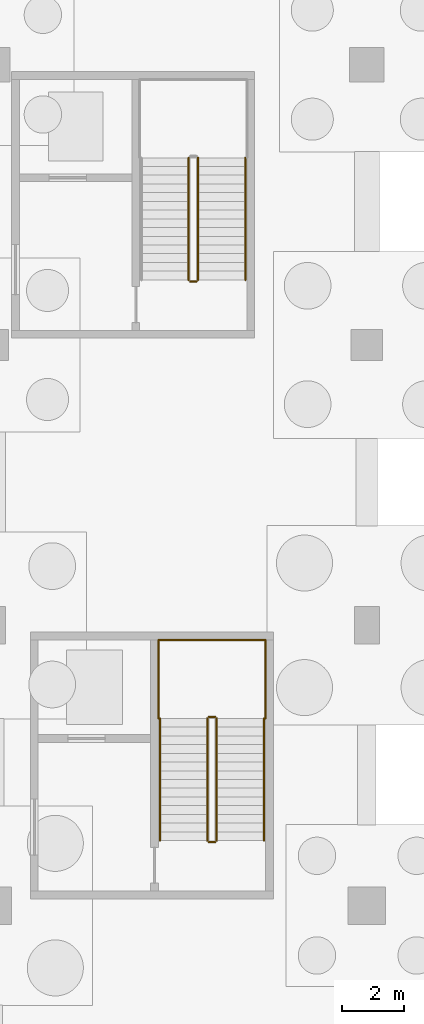
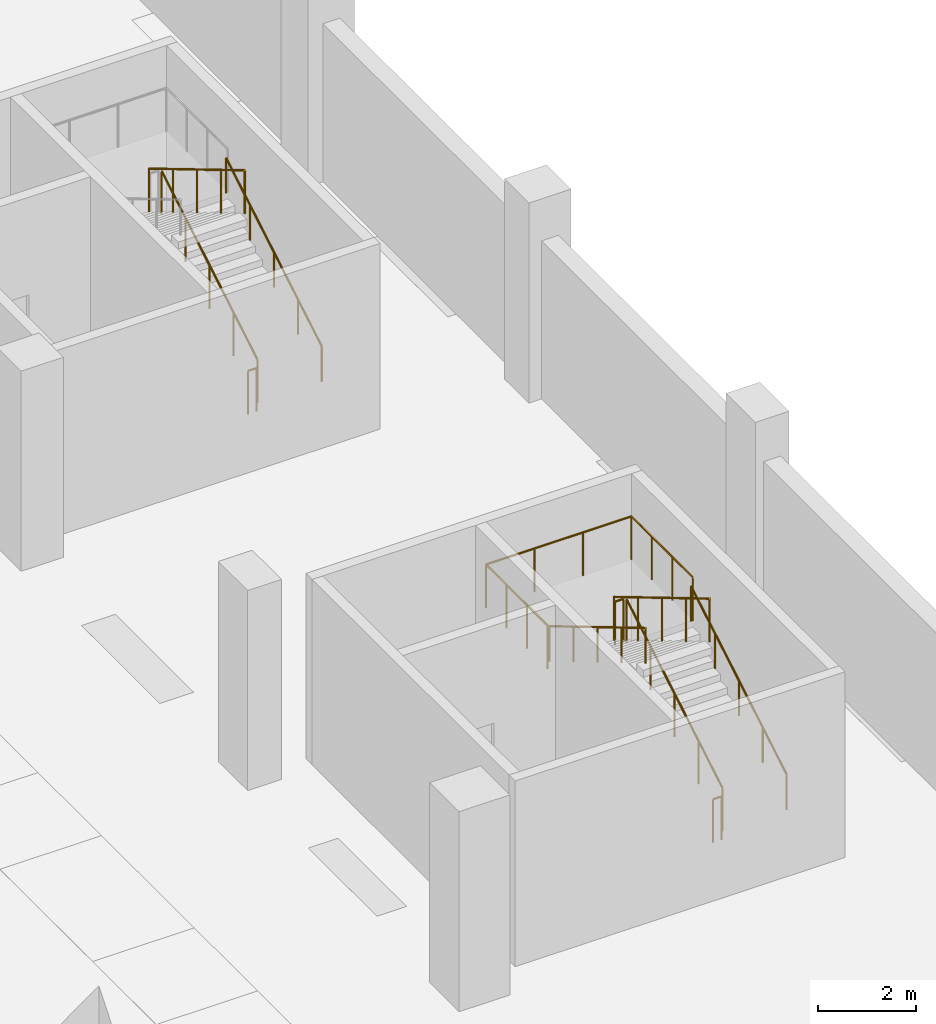
# One storey, part 30 of 37: 13 railings.
"""IFC4 building model written with IfcOpenShell, lengths in metres."""

from ifc_helpers import new_model, si_unit, direction, frame, origin, origin_2d, place, context, subcontext, project, spatial, circle, extrude, material, type_object, element, save


model = new_model("IFC4")

# Units and contexts
model_context = context("Model", 3, precision=1e-05, world=origin(), true_north=direction((0.0, 1.0)))
body_context = subcontext(model_context, "Body", "Model", "MODEL_VIEW")
ifc_project = project(units=[si_unit("LENGTHUNIT", "METRE"), si_unit("AREAUNIT", "SQUARE_METRE"), si_unit("VOLUMEUNIT", "CUBIC_METRE"), si_unit("PLANEANGLEUNIT", "RADIAN"), si_unit("MASSUNIT", "GRAM", prefix="KILO")], contexts=[model_context])

# Site, building, storey
site_placement = place(None, origin())
site = spatial("IfcSite", under=ifc_project, at=site_placement, CompositionType="ELEMENT")
building_placement = place(site_placement, origin())
building = spatial("IfcBuilding", under=site, at=building_placement, Name="Barlavento Convention Centre", CompositionType="ELEMENT")
storey_placement = place(building_placement, frame((0.0, 0.0, -5.0)))
storey = spatial("IfcBuildingStorey", under=building, at=storey_placement, Name="B1", CompositionType="ELEMENT", Elevation=-5.0)

# Railings
ifc_material_1 = material(Name="Stainless steel and laminated glass balustrade", Category="steel")
railing_type_1 = type_object("IfcRailingType", Name="ARC-RAL-BAL-1100", PredefinedType="BALUSTRADE", material=ifc_material_1)
railing_1_placement = place(storey_placement, frame((186.580078125, 56.090087890625, 0.166748046875)))
element("IfcRailing", 1, at=railing_1_placement, inside=storey, type_object=railing_type_1, Name="B1 ST05 stair guard 1", PredefinedType="BALUSTRADE", context=body_context, shape_type="SweptSolid", body=[
    extrude(circle(Radius=0.02392578125, at=origin_2d()), frame((0.0, 0.0, 1.076171875), z_axis=(0.0, 0.859296244711, 0.511478214419), x_axis=(-1.0, 0.0, 0.0)), (0.0, 0.0, 1.0), 4.561767578125),
    extrude(circle(Radius=0.02099609375, at=origin_2d()), origin(), (0.0, 0.0, 1.0), 1.052001953125),
    extrude(circle(Radius=0.02099609375, at=origin_2d()), frame((0.0, 0.97998046875, 0.583251953125)), (0.0, 0.0, 1.0), 1.052001953125),
    extrude(circle(Radius=0.02099609375, at=origin_2d()), frame((0.0, 1.9599609375, 1.16650390625)), (0.0, 0.0, 1.0), 1.052001953125),
    extrude(circle(Radius=0.02099609375, at=origin_2d()), frame((0.0, 2.93994140625, 1.75)), (0.0, 0.0, 1.0), 1.052001953125),
    extrude(circle(Radius=0.02099609375, at=origin_2d()), frame((0.0, 3.919921875, 2.333251953125)), (0.0, 0.0, 1.0), 1.052001953125),
])
railing_2_placement = place(storey_placement, frame((186.280029296875, 60.010009765625, 2.666748046875)))
element("IfcRailing", 2, at=railing_2_placement, inside=storey, type_object=railing_type_1, Name="B1 ST05 stair guard 3", PredefinedType="BALUSTRADE", context=body_context, shape_type="SweptSolid", body=[
    extrude(circle(Radius=0.02392578125, at=origin_2d()), frame((0.0, 0.0, 1.076171875), z_axis=(0.0, -0.859296244711, 0.511478214419), x_axis=(1.0, 0.0, 0.0)), (0.0, 0.0, 1.0), 4.561767578125),
    extrude(circle(Radius=0.02099609375, at=origin_2d()), origin(), (0.0, 0.0, 1.0), 1.052001953125),
    extrude(circle(Radius=0.02099609375, at=origin_2d()), frame((0.0, -0.97998046875, 0.583251953125)), (0.0, 0.0, 1.0), 1.052001953125),
    extrude(circle(Radius=0.02099609375, at=origin_2d()), frame((0.0, -1.9599609375, 1.16650390625)), (0.0, 0.0, 1.0), 1.052001953125),
    extrude(circle(Radius=0.02099609375, at=origin_2d()), frame((0.0, -2.93994140625, 1.75)), (0.0, 0.0, 1.0), 1.052001953125),
    extrude(circle(Radius=0.02099609375, at=origin_2d()), frame((0.0, -3.919921875, 2.333251953125)), (0.0, 0.0, 1.0), 1.052001953125),
])
railing_3_placement = place(storey_placement, frame((186.530029296875, 56.0400390625, 0.0)))
element("IfcRailing", 3, at=railing_3_placement, inside=storey, type_object=railing_type_1, Name="B1 ST05 stair guard 4", PredefinedType="BALUSTRADE", context=body_context, shape_type="SweptSolid", body=[
    extrude(circle(Radius=0.02392578125, at=origin_2d()), frame((0.0, 0.0, 1.076171875), z_axis=(-1.0, 0.0, 0.0), x_axis=(0.0, -1.0, 0.0)), (0.0, 0.0, 1.0), 0.199951171875),
    extrude(circle(Radius=0.02099609375, at=origin_2d()), origin(), (0.0, 0.0, 1.0), 1.052001953125),
    extrude(circle(Radius=0.02099609375, at=origin_2d()), frame((-0.199951171875, 0.0, 0.0)), (0.0, 0.0, 1.0), 1.052001953125),
])
railing_4_placement = place(storey_placement, frame((187.179931640625, 38.090087890625, 0.166748046875)))
element("IfcRailing", 4, at=railing_4_placement, inside=storey, type_object=railing_type_1, Name="B1 ST06 stair guard 1", PredefinedType="BALUSTRADE", context=body_context, shape_type="SweptSolid", body=[
    extrude(circle(Radius=0.02392578125, at=origin_2d()), frame((0.0, 0.0, 1.076171875), z_axis=(0.0, 0.859296244711, 0.511478214419), x_axis=(-1.0, 0.0, 0.0)), (0.0, 0.0, 1.0), 4.561767578125),
    extrude(circle(Radius=0.02099609375, at=origin_2d()), origin(), (0.0, 0.0, 1.0), 1.052001953125),
    extrude(circle(Radius=0.02099609375, at=origin_2d()), frame((0.0, 0.97998046875, 0.583251953125)), (0.0, 0.0, 1.0), 1.052001953125),
    extrude(circle(Radius=0.02099609375, at=origin_2d()), frame((0.0, 1.9599609375, 1.16650390625)), (0.0, 0.0, 1.0), 1.052001953125),
    extrude(circle(Radius=0.02099609375, at=origin_2d()), frame((0.0, 2.93994140625, 1.75)), (0.0, 0.0, 1.0), 1.052001953125),
    extrude(circle(Radius=0.02099609375, at=origin_2d()), frame((0.0, 3.919921875, 2.333251953125)), (0.0, 0.0, 1.0), 1.052001953125),
])
railing_5_placement = place(storey_placement, frame((187.1298828125, 42.06005859375, 2.5)))
element("IfcRailing", 5, at=railing_5_placement, inside=storey, type_object=railing_type_1, Name="B1 ST06 stair guard 2", PredefinedType="BALUSTRADE", context=body_context, shape_type="SweptSolid", body=[
    extrude(circle(Radius=0.02392578125, at=origin_2d()), frame((0.0, 0.0, 1.076171875), z_axis=(-1.0, 0.0, 0.0), x_axis=(0.0, -1.0, 0.0)), (0.0, 0.0, 1.0), 0.199951171875),
    extrude(circle(Radius=0.02099609375, at=origin_2d()), origin(), (0.0, 0.0, 1.0), 1.052001953125),
    extrude(circle(Radius=0.02099609375, at=origin_2d()), frame((-0.199951171875, 0.0, 0.0)), (0.0, 0.0, 1.0), 1.052001953125),
])
railing_6_placement = place(storey_placement, frame((186.8798828125, 42.010009765625, 2.666748046875)))
element("IfcRailing", 6, at=railing_6_placement, inside=storey, type_object=railing_type_1, Name="B1 ST06 stair guard 3", PredefinedType="BALUSTRADE", context=body_context, shape_type="SweptSolid", body=[
    extrude(circle(Radius=0.02392578125, at=origin_2d()), frame((0.0, 0.0, 1.076171875), z_axis=(0.0, -0.859296244711, 0.511478214419), x_axis=(1.0, 0.0, 0.0)), (0.0, 0.0, 1.0), 4.561767578125),
    extrude(circle(Radius=0.02099609375, at=origin_2d()), origin(), (0.0, 0.0, 1.0), 1.052001953125),
    extrude(circle(Radius=0.02099609375, at=origin_2d()), frame((0.0, -0.97998046875, 0.583251953125)), (0.0, 0.0, 1.0), 1.052001953125),
    extrude(circle(Radius=0.02099609375, at=origin_2d()), frame((0.0, -1.9599609375, 1.16650390625)), (0.0, 0.0, 1.0), 1.052001953125),
    extrude(circle(Radius=0.02099609375, at=origin_2d()), frame((0.0, -2.93994140625, 1.75)), (0.0, 0.0, 1.0), 1.052001953125),
    extrude(circle(Radius=0.02099609375, at=origin_2d()), frame((0.0, -3.919921875, 2.333251953125)), (0.0, 0.0, 1.0), 1.052001953125),
])
railing_7_placement = place(storey_placement, frame((187.1298828125, 38.0400390625, 0.0)))
element("IfcRailing", 7, at=railing_7_placement, inside=storey, type_object=railing_type_1, Name="B1 ST06 stair guard 4", PredefinedType="BALUSTRADE", context=body_context, shape_type="SweptSolid", body=[
    extrude(circle(Radius=0.02392578125, at=origin_2d()), frame((0.0, 0.0, 1.076171875), z_axis=(-1.0, 0.0, 0.0), x_axis=(0.0, -1.0, 0.0)), (0.0, 0.0, 1.0), 0.199951171875),
    extrude(circle(Radius=0.02099609375, at=origin_2d()), origin(), (0.0, 0.0, 1.0), 1.052001953125),
    extrude(circle(Radius=0.02099609375, at=origin_2d()), frame((-0.199951171875, 0.0, 0.0)), (0.0, 0.0, 1.0), 1.052001953125),
])
for number, where, name in (
    (8, (188.75, 42.010009765625, 2.5), "B1 landing guard GR01"),
    (9, (185.31005859375, 42.010009765625, 2.5), "B1 landing guard GR01"),
):
    element("IfcRailing", number, at=place(storey_placement, frame(where)), inside=storey, type_object=railing_type_1, Name=name, PredefinedType="BALUSTRADE", context=body_context, shape_type="SweptSolid", body=[
        extrude(circle(Radius=0.02392578125, at=origin_2d()), frame((0.0, 0.0, 1.076171875), z_axis=(0.0, 1.0, 0.0), x_axis=(-1.0, 0.0, 0.0)), (0.0, 0.0, 1.0), 2.52001953125),
        extrude(circle(Radius=0.02099609375, at=origin_2d()), origin(), (0.0, 0.0, 1.0), 1.052001953125),
        extrude(circle(Radius=0.02099609375, at=origin_2d()), frame((0.0, 0.840087890625, 0.0)), (0.0, 0.0, 1.0), 1.052001953125),
        extrude(circle(Radius=0.02099609375, at=origin_2d()), frame((0.0, 1.679931640625, 0.0)), (0.0, 0.0, 1.0), 1.052001953125),
        extrude(circle(Radius=0.02099609375, at=origin_2d()), frame((0.0, 2.52001953125, 0.0)), (0.0, 0.0, 1.0), 1.052001953125),
    ])
railing_8_placement = place(storey_placement, frame((188.75, 44.530029296875, 2.5)))
element("IfcRailing", 10, at=railing_8_placement, inside=storey, type_object=railing_type_1, Name="B1 landing guard GR01", PredefinedType="BALUSTRADE", context=body_context, shape_type="SweptSolid", body=[
    extrude(circle(Radius=0.02392578125, at=origin_2d()), frame((0.0, 0.0, 1.076171875), z_axis=(-1.0, 0.0, 0.0), x_axis=(0.0, -1.0, 0.0)), (0.0, 0.0, 1.0), 3.43994140625),
    extrude(circle(Radius=0.02099609375, at=origin_2d()), origin(), (0.0, 0.0, 1.0), 1.052001953125),
    extrude(circle(Radius=0.02099609375, at=origin_2d()), frame((-1.146728515625, 0.0, 0.0)), (0.0, 0.0, 1.0), 1.052001953125),
    extrude(circle(Radius=0.02099609375, at=origin_2d()), frame((-2.293212890625, 0.0, 0.0)), (0.0, 0.0, 1.0), 1.052001953125),
    extrude(circle(Radius=0.02099609375, at=origin_2d()), frame((-3.43994140625, 0.0, 0.0)), (0.0, 0.0, 1.0), 1.052001953125),
])
ifc_material_2 = material(Name="Brushed stainless steel tubular handrail", Category="steel")
railing_type_2 = type_object("IfcRailingType", Name="ARC-RAL-HR-900", PredefinedType="HANDRAIL", material=ifc_material_2)
for number, where, name in (
    (11, (188.10009765625, 56.090087890625, 0.166748046875), "B1 ST05 stair handrail 1"),
    (12, (188.699951171875, 38.090087890625, 0.166748046875), "B1 ST06 stair handrail 1"),
):
    element("IfcRailing", number, at=place(storey_placement, frame(where)), inside=storey, type_object=railing_type_2, Name=name, PredefinedType="HANDRAIL", context=body_context, shape_type="SweptSolid", body=[
        extrude(circle(Radius=0.02392578125, at=origin_2d()), frame((0.0, 0.0, 0.8759765625), z_axis=(0.0, 0.859296244711, 0.511478214419), x_axis=(-1.0, 0.0, 0.0)), (0.0, 0.0, 1.0), 4.561767578125),
        extrude(circle(Radius=0.02099609375, at=origin_2d()), origin(), (0.0, 0.0, 1.0), 0.851806640625),
        extrude(circle(Radius=0.02099609375, at=origin_2d()), frame((0.0, 0.97998046875, 0.583251953125)), (0.0, 0.0, 1.0), 0.851806640625),
        extrude(circle(Radius=0.02099609375, at=origin_2d()), frame((0.0, 1.9599609375, 1.16650390625)), (0.0, 0.0, 1.0), 0.851806640625),
        extrude(circle(Radius=0.02099609375, at=origin_2d()), frame((0.0, 2.93994140625, 1.75)), (0.0, 0.0, 1.0), 0.851806640625),
        extrude(circle(Radius=0.02099609375, at=origin_2d()), frame((0.0, 3.919921875, 2.333251953125)), (0.0, 0.0, 1.0), 0.851806640625),
    ])
railing_9_placement = place(storey_placement, frame((185.360107421875, 42.010009765625, 2.666748046875)))
element("IfcRailing", 13, at=railing_9_placement, inside=storey, type_object=railing_type_2, Name="B1 ST06 stair handrail 2", PredefinedType="HANDRAIL", context=body_context, shape_type="SweptSolid", body=[
    extrude(circle(Radius=0.02392578125, at=origin_2d()), frame((0.0, 0.0, 0.8759765625), z_axis=(0.0, -0.859296244711, 0.511478214419), x_axis=(1.0, 0.0, 0.0)), (0.0, 0.0, 1.0), 4.561767578125),
    extrude(circle(Radius=0.02099609375, at=origin_2d()), origin(), (0.0, 0.0, 1.0), 0.851806640625),
    extrude(circle(Radius=0.02099609375, at=origin_2d()), frame((0.0, -0.97998046875, 0.583251953125)), (0.0, 0.0, 1.0), 0.851806640625),
    extrude(circle(Radius=0.02099609375, at=origin_2d()), frame((0.0, -1.9599609375, 1.16650390625)), (0.0, 0.0, 1.0), 0.851806640625),
    extrude(circle(Radius=0.02099609375, at=origin_2d()), frame((0.0, -2.93994140625, 1.75)), (0.0, 0.0, 1.0), 0.851806640625),
    extrude(circle(Radius=0.02099609375, at=origin_2d()), frame((0.0, -3.919921875, 2.333251953125)), (0.0, 0.0, 1.0), 0.851806640625),
])

save(model, "model.ifc")
